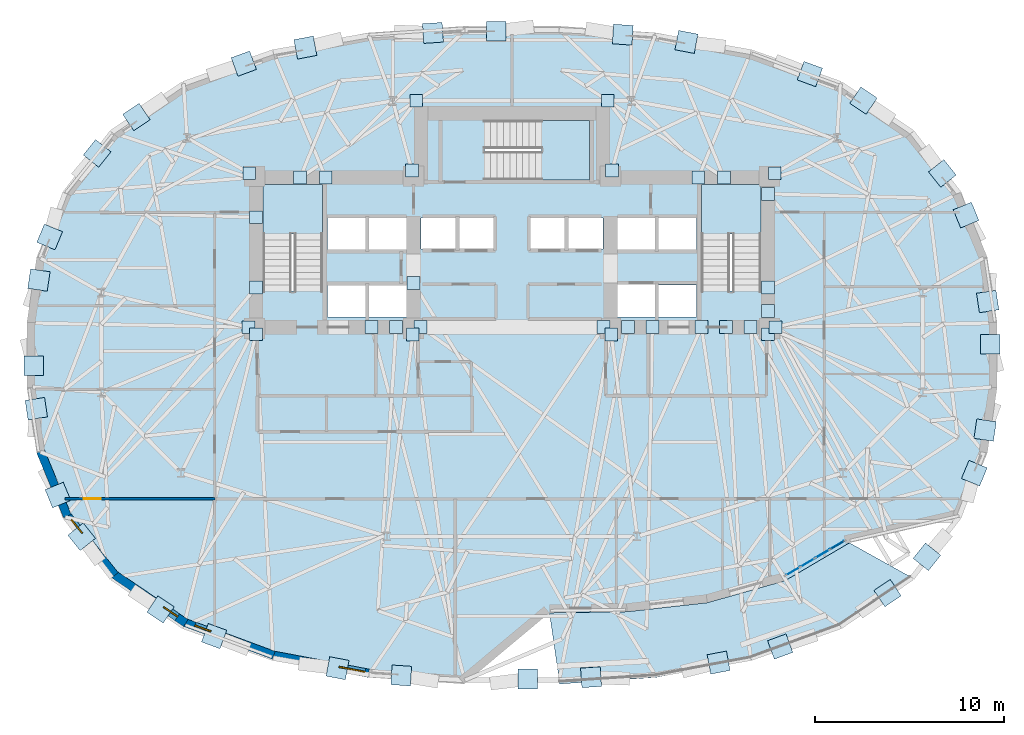
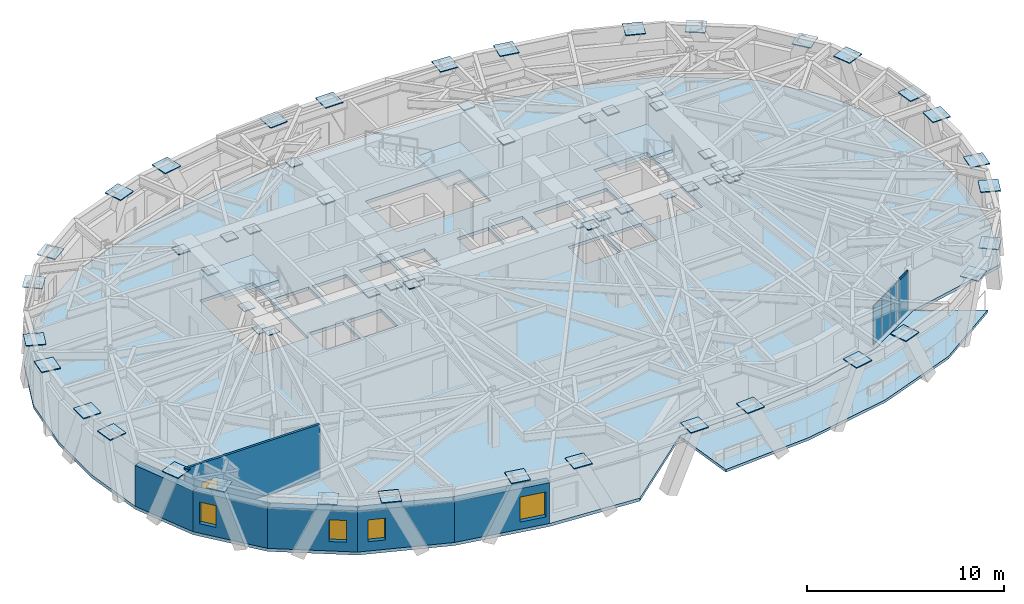
# One storey, part 6 of 14: 67 plates, 6 walls, 5 slabs, 4 windows, 1 door, 1 member, 5 openings, 4 elements without a shape of their own.
"""IFC4 building model written with IfcOpenShell, lengths in metres."""

import ifcopenshell
import ifcopenshell.guid

model = None  # the IFC model being written
_history = None  # IfcOwnerHistory: only IFC2X3 demands one
_inside = {}  # id of a spatial element -> (the spatial element, [elements in it])
_under = {}  # id of a project, library or spatial element -> (it, [spatial elements below it])
_declared = {}  # id of a project -> (the project, [libraries it declares])
_typed = {}  # id of a type object -> (the type object, [elements of that type])
_made_of = {}  # id of a material, layer set ... -> (it, [elements and type objects made of it])


def new_model(schema):
    """Start an empty IFC model of exactly this schema.

    Asked for "IFC4X3", IfcOpenShell would pick the latest addendum, in which some entities
    have other attributes; the version numbers below select the first issue.
    IFC2X3 requires an IfcOwnerHistory on every rooted entity: one is made here for all.
    """
    global model, _history
    if schema == "IFC4X3":
        model = ifcopenshell.file(schema_version=(4, 3, 0, 0))
    else:
        model = ifcopenshell.file(schema=schema)
    _inside.clear()
    _under.clear()
    _declared.clear()
    _typed.clear()
    _made_of.clear()
    _history = None
    if model.schema == "IFC2X3":
        org = make("IfcOrganization", Name="unknown")
        user = make(
            "IfcPersonAndOrganization",
            ThePerson=make("IfcPerson", FamilyName="unknown"),
            TheOrganization=org,
        )
        app = make(
            "IfcApplication",
            ApplicationDeveloper=org,
            Version="unknown",
            ApplicationFullName="unknown",
            ApplicationIdentifier="unknown",
        )
        _history = make(
            "IfcOwnerHistory",
            OwningUser=user,
            OwningApplication=app,
            ChangeAction="ADDED",
            CreationDate=0,
        )
    return model


def make(cls, **values):
    """One entity of the class cls with the attributes given. An attribute that is None is left unset."""
    return model.create_entity(
        cls, **{name: value for name, value in values.items() if value is not None}
    )


def rooted(cls, **values):
    """An entity with a GlobalId (a new one), such as an element, a storey or a relation."""
    return make(cls, GlobalId=ifcopenshell.guid.new(), OwnerHistory=_history, **values)


def si_unit(unit_type, name, prefix=None):
    """IfcSIUnit, for example si_unit("LENGTHUNIT", "METRE", prefix="MILLI")."""
    return make("IfcSIUnit", UnitType=unit_type, Prefix=prefix, Name=name)


def assignment(units):
    """IfcUnitAssignment: the units of a project."""
    return None if units is None else make("IfcUnitAssignment", Units=units)


def point(xyz):
    """IfcCartesianPoint."""
    return None if xyz is None else make("IfcCartesianPoint", Coordinates=xyz)


def direction(xyz):
    """IfcDirection."""
    return None if xyz is None else make("IfcDirection", DirectionRatios=xyz)


def frame(location, z_axis=None, x_axis=None):
    """IfcAxis2Placement3D, a coordinate frame: its origin and axes. An axis left out is left unset."""
    return make(
        "IfcAxis2Placement3D",
        Location=point(location),
        Axis=direction(z_axis),
        RefDirection=direction(x_axis),
    )


def frame_2d(location, x_axis=None):
    """IfcAxis2Placement2D, a coordinate frame in the plane: its origin and x axis."""
    return make(
        "IfcAxis2Placement2D", Location=point(location), RefDirection=direction(x_axis)
    )


def origin():
    """The frame at (0, 0, 0) with its axes left unset."""
    return frame((0.0, 0.0, 0.0))


def origin_2d():
    """The frame at (0, 0) in the plane with its x axis left unset."""
    return frame_2d((0.0, 0.0))


def place(relative_to, where):
    """IfcLocalPlacement: puts the frame where relative to a parent placement (None: the world)."""
    return make(
        "IfcLocalPlacement", PlacementRelTo=relative_to, RelativePlacement=where
    )


def context(
    kind, dimensions, precision=None, world=None, true_north=None, identifier=None
):
    """IfcGeometricRepresentationContext, for example the 3D "Model" context."""
    return make(
        "IfcGeometricRepresentationContext",
        ContextIdentifier=identifier,
        ContextType=kind,
        CoordinateSpaceDimension=dimensions,
        Precision=precision,
        WorldCoordinateSystem=world,
        TrueNorth=true_north,
    )


def subcontext(parent, identifier, kind, view, scale=None):
    """IfcGeometricRepresentationSubContext, for example "Body" below "Model"."""
    return make(
        "IfcGeometricRepresentationSubContext",
        ContextIdentifier=identifier,
        ContextType=kind,
        ParentContext=parent,
        TargetScale=scale,
        TargetView=view,
    )


def project(units=None, contexts=None):
    """IfcProject with its units and contexts."""
    return rooted(
        "IfcProject",
        Name="project",
        RepresentationContexts=contexts,
        UnitsInContext=assignment(units),
    )


def spatial(cls, under=None, at=None, **own):
    """A site, building, storey or space (cls), placed at a placement, below another one or the project."""
    s = rooted(cls, ObjectPlacement=at, **own)
    if under is not None:
        _under.setdefault(under.id(), (under, []))[1].append(s)
    return s


def polyline(points):
    """IfcPolyline through the points."""
    return make("IfcPolyline", Points=[point(p) for p in points])


def profile(cls, at=None, kind="AREA", **sizes):
    """A parametric profile (cls). Its sizes go by their IFC names, for example OverallWidth=200.0."""
    return make(cls, ProfileType=kind, Position=at, **sizes)


def rectangle(**sizes):
    """IfcRectangleProfileDef."""
    return profile("IfcRectangleProfileDef", **sizes)


def outline(outer, holes=None, kind="AREA"):
    """IfcArbitraryClosedProfileDef: a profile drawn as a closed curve; with holes, ...WithVoids."""
    if holes is None:
        return make("IfcArbitraryClosedProfileDef", ProfileType=kind, OuterCurve=outer)
    return make(
        "IfcArbitraryProfileDefWithVoids",
        ProfileType=kind,
        OuterCurve=outer,
        InnerCurves=holes,
    )


def extrude(swept, where, along, depth):
    """IfcExtrudedAreaSolid: the profile swept, set in the frame where, extruded along a direction by depth."""
    return make(
        "IfcExtrudedAreaSolid",
        SweptArea=swept,
        Position=where,
        ExtrudedDirection=direction(along),
        Depth=depth,
    )


def shape(context_of_items, identifier, shape_type, items):
    """IfcShapeRepresentation: the items that make up one representation, for example the "Body"."""
    return make(
        "IfcShapeRepresentation",
        ContextOfItems=context_of_items,
        RepresentationIdentifier=identifier,
        RepresentationType=shape_type,
        Items=items,
    )


def material(Name=None, Category=None):
    """IfcMaterial."""
    return make("IfcMaterial", Name=Name, Category=Category)


def layer(
    of_material, thickness, ventilated=None, Name=None, Category=None, Priority=None
):
    """IfcMaterialLayer: one layer of a wall or slab, of a material (None: an air gap)."""
    return make(
        "IfcMaterialLayer",
        Material=of_material,
        LayerThickness=thickness,
        IsVentilated=ventilated,
        Name=Name,
        Category=Category,
        Priority=Priority,
    )


def layer_set(layers, Name=None):
    """IfcMaterialLayerSet."""
    return make("IfcMaterialLayerSet", MaterialLayers=layers, LayerSetName=Name)


def material_profile(
    of_material, cross_section, Name=None, Category=None, Priority=None
):
    """IfcMaterialProfile: a cross section and its material."""
    return make(
        "IfcMaterialProfile",
        Name=Name,
        Material=of_material,
        Profile=cross_section,
        Priority=Priority,
        Category=Category,
    )


def profile_set(profiles, Name=None, composite=None):
    """IfcMaterialProfileSet."""
    return make(
        "IfcMaterialProfileSet",
        Name=Name,
        MaterialProfiles=profiles,
        CompositeProfile=composite,
    )


def made_of(thing, what):
    """Note that an element or type object is made of a material, layer set ...; save() writes the relation."""
    if what is not None:
        _made_of.setdefault(what.id(), (what, []))[1].append(thing)
    return thing


def type_object(cls, material=None, **own):
    """A type object (cls), such as IfcWallType, which elements share."""
    return made_of(rooted(cls, **own), material)


def element(
    cls,
    number,
    at=None,
    inside=None,
    cuts=None,
    type_object=None,
    material=None,
    context=None,
    identifier="Body",
    shape_type=None,
    held_by="IfcProductDefinitionShape",
    body=None,
    shapes=None,
    **own,
):
    """One element of the class cls, such as IfcWall. Its Tag is "e" and its number.

    at: its placement. inside: the storey or other place that contains it. cuts: it is an
    opening in that element (IfcRelVoidsElement). A single representation is given by context,
    identifier, shape_type and body (its items); several are given by shapes. held_by: the class
    of the entity that holds the representations. save() writes the other relations.
    """
    e = rooted(cls, Tag="e%d" % number, ObjectPlacement=at, **own)
    if body is not None:
        shapes = [shape(context, identifier, shape_type, body)]
    if shapes is not None:
        e.Representation = make(held_by, Representations=shapes)
    if inside is not None:
        _inside.setdefault(inside.id(), (inside, []))[1].append(e)
    if cuts is not None:
        rooted(
            "IfcRelVoidsElement", RelatingBuildingElement=cuts, RelatedOpeningElement=e
        )
    if type_object is not None:
        _typed.setdefault(type_object.id(), (type_object, []))[1].append(e)
    return made_of(e, material)


def fill(opening, filler):
    """IfcRelFillsElement: the door or window that sits in an opening."""
    return rooted(
        "IfcRelFillsElement",
        RelatingOpeningElement=opening,
        RelatedBuildingElement=filler,
    )


def aggregate(whole, parts):
    """IfcRelAggregates: a whole, such as a stair, and the parts it consists of."""
    return rooted("IfcRelAggregates", RelatingObject=whole, RelatedObjects=parts)


def save(model, path):
    """Write the relations noted so far, then the file.

    IfcRelAggregates (storeys below a building ...), IfcRelContainedInSpatialStructure (elements
    in a storey), IfcRelDefinesByType, IfcRelAssociatesMaterial and IfcRelDeclares: one each for
    every whole, place, type object, material and project.
    """
    for whole, parts in _under.values():
        aggregate(whole, parts)
    for where, things in _inside.values():
        rooted(
            "IfcRelContainedInSpatialStructure",
            RelatedElements=things,
            RelatingStructure=where,
        )
    for kind, things in _typed.values():
        rooted("IfcRelDefinesByType", RelatedObjects=things, RelatingType=kind)
    for what, things in _made_of.values():
        rooted("IfcRelAssociatesMaterial", RelatedObjects=things, RelatingMaterial=what)
    for by, libraries in _declared.values():
        rooted("IfcRelDeclares", RelatingContext=by, RelatedDefinitions=libraries)
    model.write(path)


model = new_model("IFC4")

# Units and contexts
model_context = context("Model", 3, precision=1e-05, world=origin(), true_north=direction((0.0, 1.0)))
body_context = subcontext(model_context, "Body", "Model", "MODEL_VIEW")
ifc_project = project(units=[si_unit("LENGTHUNIT", "METRE"), si_unit("AREAUNIT", "SQUARE_METRE"), si_unit("VOLUMEUNIT", "CUBIC_METRE"), si_unit("PLANEANGLEUNIT", "RADIAN"), si_unit("MASSUNIT", "GRAM", prefix="KILO")], contexts=[model_context])

# Site, building, storey
site_placement = place(None, origin())
site = spatial("IfcSite", under=ifc_project, at=site_placement, CompositionType="ELEMENT")
building_placement = place(site_placement, origin())
building = spatial("IfcBuilding", under=site, at=building_placement, Name="Keldmark Tower", CompositionType="ELEMENT")
storey_placement = place(building_placement, frame((0.0, 0.0, 128.10009765625)))
storey = spatial("IfcBuildingStorey", under=building, at=storey_placement, Name="L34", CompositionType="ELEMENT", Elevation=128.10009765625)

# Curtain wall, member
ifc_material_1 = material(Name="Unitized Thermally Broken Aluminum and Triple Low-E Glazing", Category="aluminium")
ifc_layer_1 = layer(ifc_material_1, 0.219970703125)
ifc_layer_set_1 = layer_set([ifc_layer_1], Name="Unitized Thermally Broken Aluminum and Triple Low-E Glazing")
curtain_wall_type = type_object("IfcCurtainWallType", Name="Spiralling Sky-Garden Feature Curtain Wall System", PredefinedType="NOTDEFINED", material=ifc_layer_set_1)
curtain_wall_placement = place(storey_placement, origin())
curtain_wall = element("IfcCurtainWall", 1, at=curtain_wall_placement, inside=storey, type_object=curtain_wall_type, Name="L34 Spiralling Sky-Garden Feature Curtain Wall System CW-L34-28", PredefinedType="NOTDEFINED")
ifc_material_2 = material(Name="Extruded Aluminum Alloy 6063-T6", Category="aluminium")
ifc_material_profile = material_profile(ifc_material_2, rectangle(XDim=0.06005859375, YDim=0.139892578125, at=origin_2d()), Name="CWT60X140")
ifc_profile_set = profile_set([ifc_material_profile], Name="Extruded Aluminum Alloy 6063-T6")
member_type = type_object("IfcMemberType", Name="Curtain Wall Horizontal Transom 60x140", PredefinedType="USERDEFINED", material=ifc_profile_set)
member_placement = place(storey_placement, frame((17.542724609375, -9.830810546875, 2.497802734375), z_axis=(-0.862124032813, -0.506697298243, 0.0), x_axis=(0.506697298243, -0.862124032813, 0.0)))
member = element("IfcMember", 2, at=member_placement, type_object=member_type, Name="CW transom 1.2", ObjectType="TRANSOM", PredefinedType="USERDEFINED", context=body_context, shape_type="SweptSolid", body=[
    extrude(rectangle(XDim=0.06005859375, YDim=0.139892578125, at=origin_2d()), origin(), (0.0, 0.0, 1.0), 0.826416015625),
])

# Plates
ifc_material_3 = material(Name="Steel ASTM A572 Grade 50", Category="steel")
ifc_layer_2 = layer(ifc_material_3, 0.06005859375)
ifc_layer_set_2 = layer_set([ifc_layer_2], Name="Steel ASTM A572 Grade 50")
plate_type_1 = type_object("IfcPlateType", Name="Belt Truss Kink Node Assembly KN01 60 mm", PredefinedType="USERDEFINED", material=ifc_layer_set_2)
for number, where, z_axis, x_axis, name in (
    (3, (13.91162109375, 1.473388671875, 3.01416015625), (0.0, 0.0, 1.0), (1.0, 0.0, 0.0), "L34 Core Wall Cast-In Embed Plate 996"),
    (4, (13.878173828125, 9.608154296875, 3.01416015625), (0.0, 0.0, 1.0), (1.0, 0.0, 0.0), "L34 Core Wall Cast-In Embed Plate 997"),
    (5, (5.28515625, 9.758544921875, 3.01416015625), (0.0, 0.0, 1.0), (1.0, 0.0, 0.0), "L34 Core Wall Cast-In Embed Plate 998"),
    (6, (-5.28515625, 9.758544921875, 3.01416015625), (0.0, 0.0, 1.0), (1.0, 0.0, 0.0), "L34 Core Wall Cast-In Embed Plate 999"),
    (7, (-13.878173828125, 9.608154296875, 3.01416015625), (0.0, 0.0, 1.0), (1.0, 0.0, 0.0), "L34 Core Wall Cast-In Embed Plate 1000"),
    (8, (-13.91162109375, 1.473388671875, 3.01416015625), (0.0, 0.0, 1.0), (1.0, 0.0, 0.0), "L34 Core Wall Cast-In Embed Plate 1001"),
    (9, (-5.24072265625, 1.08251953125, 3.01416015625), (0.0, 0.0, 1.0), (1.0, 0.0, 0.0), "L34 Core Wall Cast-In Embed Plate 1002"),
    (10, (5.24072265625, 1.08251953125, 3.01416015625), (0.0, 0.0, 1.0), (1.0, 0.0, 0.0), "L34 Core Wall Cast-In Embed Plate 1003"),
    (11, (11.19287109375, 9.375, 3.01416015625), (0.0, 0.0, 1.0), (1.0, 0.0, 0.0), "L34 Core Wall Cast-In Embed Plate 1004"),
    (12, (5.0576171875, 13.4326171875, 3.01416015625), (0.0, 0.0, 1.0), (1.0, 0.0, 0.0), "L34 Core Wall Cast-In Embed Plate 1005"),
    (13, (-5.0576171875, 13.4326171875, 3.01416015625), (0.0, 0.0, 1.0), (1.0, 0.0, 0.0), "L34 Core Wall Cast-In Embed Plate 1006"),
    (14, (-11.19287109375, 9.375, 3.01416015625), (0.0, 0.0, 1.0), (1.0, 0.0, 0.0), "L34 Core Wall Cast-In Embed Plate 1007"),
    (15, (13.52490234375, 8.514404296875, 3.01416015625), (0.0, 0.0, 1.0), (1.0, 0.0, 0.0), "L34 Core Wall Cast-In Embed Plate 1008"),
    (16, (12.603515625, 1.47509765625, 3.01416015625), (0.0, 0.0, 1.0), (1.0, 0.0, 0.0), "L34 Core Wall Cast-In Embed Plate 1009"),
    (17, (13.52490234375, 3.5712890625, 3.01416015625), (0.0, 0.0, 1.0), (1.0, 0.0, 0.0), "L34 Core Wall Cast-In Embed Plate 1010"),
    (18, (9.83935546875, 9.375, 3.01416015625), (0.0, 0.0, 1.0), (1.0, 0.0, 0.0), "L34 Core Wall Cast-In Embed Plate 1011"),
    (19, (-9.83935546875, 9.375, 3.01416015625), (0.0, 0.0, 1.0), (1.0, 0.0, 0.0), "L34 Core Wall Cast-In Embed Plate 1012"),
    (20, (-13.52490234375, 7.278564453125, 3.01416015625), (0.0, 0.0, 1.0), (1.0, 0.0, 0.0), "L34 Core Wall Cast-In Embed Plate 1013"),
    (21, (-13.52490234375, 3.5712890625, 3.01416015625), (0.0, 0.0, 1.0), (1.0, 0.0, 0.0), "L34 Core Wall Cast-In Embed Plate 1014"),
    (22, (-6.121337890625, 1.47509765625, 3.01416015625), (0.0, 0.0, 1.0), (1.0, 0.0, 0.0), "L34 Core Wall Cast-In Embed Plate 1015"),
    (23, (-7.41796875, 1.47509765625, 3.01416015625), (0.0, 0.0, 1.0), (1.0, 0.0, 0.0), "L34 Core Wall Cast-In Embed Plate 1016"),
    (24, (10.0107421875, 1.47509765625, 3.01416015625), (0.0, 0.0, 1.0), (1.0, 0.0, 0.0), "L34 Core Wall Cast-In Embed Plate 1017"),
    (25, (6.121337890625, 1.47509765625, 3.01416015625), (0.0, 0.0, 1.0), (1.0, 0.0, 0.0), "L34 Core Wall Cast-In Embed Plate 1018"),
    (26, (7.41796875, 1.47509765625, 3.01416015625), (0.0, 0.0, 1.0), (1.0, 0.0, 0.0), "L34 Core Wall Cast-In Embed Plate 1019"),
    (27, (-5.199951171875, 3.800048828125, 3.01416015625), (0.0, 0.0, 1.0), (1.0, 0.0, 0.0), "L34 Core Wall Cast-In Embed Plate 1020"),
    (28, (11.30712890625, 1.47509765625, 3.01416015625), (0.0, 0.0, 1.0), (1.0, 0.0, 0.0), "L34 Core Wall Cast-In Embed Plate 1021"),
    (29, (13.52490234375, 1.10009765625, 3.01416015625), (0.0, 0.0, 1.0), (1.0, 0.0, 0.0), "L34 Core Wall Cast-In Embed Plate 1022"),
    (30, (-4.824951171875, 1.47509765625, 3.01416015625), (0.0, 0.0, 1.0), (1.0, 0.0, 0.0), "L34 Core Wall Cast-In Embed Plate 1023"),
    (31, (-13.52490234375, 1.10009765625, 3.01416015625), (0.0, 0.0, 1.0), (1.0, 0.0, 0.0), "L34 Core Wall Cast-In Embed Plate 1024"),
    (32, (4.824951171875, 1.47509765625, 3.01416015625), (0.0, 0.0, 1.0), (1.0, 0.0, 0.0), "L34 Core Wall Cast-In Embed Plate 1025"),
    (33, (13.52490234375, 2.335693359375, 3.01416015625), (0.0, 0.0, 1.0), (1.0, 0.0, 0.0), "L34 Core Wall Cast-In Embed Plate 1026"),
):
    element("IfcPlate", number, at=place(storey_placement, frame(where, z_axis=z_axis, x_axis=x_axis)), inside=storey, type_object=plate_type_1, Name=name, ObjectType="CAP PLATE", PredefinedType="USERDEFINED", context=body_context, shape_type="SweptSolid", body=[
        extrude(rectangle(XDim=0.679931640625, YDim=0.679931640625, at=origin_2d()), origin(), (0.0, 0.0, 1.0), 0.054931640625),
    ])
ifc_material_4 = material(Name="Steel ASTM A572 Grade 50", Category="steel")
ifc_layer_3 = layer(ifc_material_4, 0.054931640625)
ifc_layer_set_3 = layer_set([ifc_layer_3], Name="Steel ASTM A572 Grade 50")
plate_type_2 = type_object("IfcPlateType", Name="Diagrid Node Assembly DN03 55 mm", PredefinedType="USERDEFINED", material=ifc_layer_set_3)
for number, where, z_axis, x_axis, name in (
    (34, (25.12890625, 2.82958984375, 3.16259765625), (0.0, 0.0, 1.0), (-0.147636793048, 0.989041645907, 0.0), "L34 Diagrid Node Assembly 01"),
    (35, (23.985107421875, 7.39453125, 3.16259765625), (0.0, 0.0, 1.0), (-0.382360914263, 0.92401305794, 0.0), "L34 Diagrid Node Assembly 02"),
    (36, (22.7333984375, 9.59716796875, 3.16259765625), (0.0, 0.0, 1.0), (-0.625106436011, 0.780539520881, 0.0), "L34 Diagrid Node Assembly 03"),
    (37, (18.5673828125, 13.439697265625, 3.16259765625), (0.0, 0.0, 1.0), (-0.827668733006, 0.561216953062, 0.0), "L34 Diagrid Node Assembly 04"),
    (38, (15.735107421875, 14.845703125, 3.16259765625), (0.0, 0.0, 1.0), (-0.938432742561, 0.345461991671, 0.0), "L34 Diagrid Node Assembly 05"),
    (39, (9.215576171875, 16.54248046875, 3.16259765625), (0.0, 0.0, 1.0), (-0.982385228701, 0.186866964522, 0.0), "L34 Diagrid Node Assembly 06"),
    (40, (5.8515625, 16.926513671875, 3.16259765625), (0.0, 0.0, 1.0), (-0.997648529354, 0.068537667585, 0.0), "L34 Diagrid Node Assembly 07"),
    (41, (-0.83740234375, 17.113525390625, 3.16259765625), (0.0, 0.0, 1.0), (-1.0, 0.0, 0.0), "L34 Diagrid Node Assembly 08"),
    (42, (-4.17578125, 17.018798828125, 3.16259765625), (0.0, 0.0, 1.0), (-0.997648529354, -0.068537667585, 0.0), "L34 Diagrid Node Assembly 09"),
    (43, (-10.9140625, 16.244140625, 3.16259765625), (0.0, 0.0, 1.0), (-0.982385228701, -0.186866964522, 0.0), "L34 Diagrid Node Assembly 10"),
    (44, (-14.16796875, 15.39697265625, 3.16259765625), (0.0, 0.0, 1.0), (-0.938432742561, -0.345461991671, 0.0), "L34 Diagrid Node Assembly 11"),
    (45, (-19.839599609375, 12.574462890625, 3.16259765625), (0.0, 0.0, 1.0), (-0.827668733006, -0.561216953062, 0.0), "L34 Diagrid Node Assembly 12"),
    (46, (-21.91748046875, 10.656494140625, 3.16259765625), (0.0, 0.0, 1.0), (-0.625106436011, -0.780539520881, 0.0), "L34 Diagrid Node Assembly 13"),
    (47, (-24.4228515625, 6.2392578125, 3.16259765625), (0.0, 0.0, 1.0), (-0.382360914263, -0.92401305794, 0.0), "L34 Diagrid Node Assembly 14"),
    (48, (-24.991455078125, 3.9619140625, 3.16259765625), (0.0, 0.0, 1.0), (-0.147636793048, -0.989041645907, 0.0), "L34 Diagrid Node Assembly 15"),
    (49, (-25.268310546875, -0.569580078125, 3.16259765625), (0.0, 0.0, 1.0), (0.0, -1.0, 0.0), "L34 Diagrid Node Assembly 16"),
    (50, (-25.12890625, -2.82958984375, 3.16259765625), (0.0, 0.0, 1.0), (0.147636793048, -0.989041645907, 0.0), "L34 Diagrid Node Assembly 17"),
    (51, (-23.985107421875, -7.39453125, 3.16259765625), (0.0, 0.0, 1.0), (0.382360914263, -0.92401305794, 0.0), "L34 Diagrid Node Assembly 18"),
    (52, (-22.7333984375, -9.59716796875, 3.16259765625), (0.0, 0.0, 1.0), (0.625106436011, -0.780539520881, 0.0), "L34 Diagrid Node Assembly 19"),
    (53, (-18.5673828125, -13.439697265625, 3.16259765625), (0.0, 0.0, 1.0), (0.827668733006, -0.561216953062, 0.0), "L34 Diagrid Node Assembly 20"),
    (54, (-15.735107421875, -14.845703125, 3.16259765625), (0.0, 0.0, 1.0), (0.938432742561, -0.345461991671, 0.0), "L34 Diagrid Node Assembly 21"),
    (55, (-9.215576171875, -16.54248046875, 3.16259765625), (0.0, 0.0, 1.0), (0.982385228701, -0.186866964522, 0.0), "L34 Diagrid Node Assembly 22"),
    (56, (-5.8515625, -16.926513671875, 3.16259765625), (0.0, 0.0, 1.0), (0.997648529354, -0.068537667585, 0.0), "L34 Diagrid Node Assembly 23"),
    (57, (0.83740234375, -17.113525390625, 3.16259765625), (0.0, 0.0, 1.0), (1.0, 0.0, 0.0), "L34 Diagrid Node Assembly 24"),
    (58, (4.17578125, -17.018798828125, 3.16259765625), (0.0, 0.0, 1.0), (0.997648529354, 0.068537667585, 0.0), "L34 Diagrid Node Assembly 25"),
    (59, (10.9140625, -16.244140625, 3.16259765625), (0.0, 0.0, 1.0), (0.982385228701, 0.186866964522, 0.0), "L34 Diagrid Node Assembly 26"),
    (60, (14.16796875, -15.39697265625, 3.16259765625), (0.0, 0.0, 1.0), (0.938432742561, 0.345461991671, 0.0), "L34 Diagrid Node Assembly 27"),
    (61, (19.839599609375, -12.574462890625, 3.16259765625), (0.0, 0.0, 1.0), (0.827668733006, 0.561216953062, 0.0), "L34 Diagrid Node Assembly 28"),
    (62, (21.91748046875, -10.656494140625, 3.16259765625), (0.0, 0.0, 1.0), (0.625106436011, 0.780539520881, 0.0), "L34 Diagrid Node Assembly 29"),
    (63, (24.4228515625, -6.2392578125, 3.16259765625), (0.0, 0.0, 1.0), (0.382360914263, 0.92401305794, 0.0), "L34 Diagrid Node Assembly 30"),
    (64, (24.991455078125, -3.9619140625, 3.16259765625), (0.0, 0.0, 1.0), (0.147636793048, 0.989041645907, 0.0), "L34 Diagrid Node Assembly 31"),
    (65, (25.268310546875, 0.569580078125, 3.16259765625), (0.0, 0.0, 1.0), (0.0, 1.0, 0.0), "L34 Diagrid Node Assembly 32"),
):
    element("IfcPlate", number, at=place(storey_placement, frame(where, z_axis=z_axis, x_axis=x_axis)), inside=storey, type_object=plate_type_2, Name=name, ObjectType="GUSSET", PredefinedType="USERDEFINED", context=body_context, shape_type="SweptSolid", body=[
        extrude(rectangle(XDim=1.0400390625, YDim=1.0400390625, at=origin_2d()), origin(), (0.0, 0.0, 1.0), 0.054931640625),
    ])

# Slabs
ifc_material_5 = material(Name="Concrete C35/45", Category="concrete")
ifc_layer_4 = layer(ifc_material_5, 0.18994140625)
ifc_layer_set_4 = layer_set([ifc_layer_4], Name="Concrete C35/45")
slab_type_1 = type_object("IfcSlabType", Name="Mid-Rise Office Composite Slab 190 mm", PredefinedType="FLOOR", material=ifc_layer_set_4)
slab_1_placement = place(storey_placement, frame((0.0, 0.0, -0.190185546875)))
element("IfcSlab", 66, at=slab_1_placement, inside=storey, type_object=slab_type_1, Name="L34 Composite Structural Floor Slab", PredefinedType="FLOOR", context=body_context, shape_type="SweptSolid", body=[
    extrude(outline(polyline([(25.62646484375, 1.711181640625), (25.11083984375, 5.16455078125), (23.6943359375, 8.5869140625), (21.147216796875, 11.76708984375), (17.355224609375, 14.338134765625), (12.664794921875, 16.065185546875), (7.6171875, 17.025390625), (2.52392578125, 17.375), (-2.52392578125, 17.375), (-7.6171875, 17.025390625), (-12.664794921875, 16.065185546875), (-17.355224609375, 14.338134765625), (-21.147216796875, 11.76708984375), (-23.6943359375, 8.5869140625), (-25.11083984375, 5.16455078125), (-25.62646484375, 1.711181640625), (-25.62646484375, -1.711181640625), (-25.11083984375, -5.16455078125), (-23.6943359375, -8.5869140625), (-21.147216796875, -11.76708984375), (-17.355224609375, -14.338134765625), (-12.664794921875, -16.065185546875), (-7.6171875, -17.025390625), (-2.52392578125, -17.375), (1.977783203125, -13.614501953125), (6.0654296875, -13.556884765625), (10.312255859375, -13.080810546875), (14.425537109375, -11.917724609375), (17.82666015625, -9.919189453125), (23.6943359375, -8.5869140625), (25.11083984375, -5.16455078125), (25.62646484375, -1.711181640625), (25.62646484375, 1.711181640625)]), holes=[polyline([(-10.0, 3.385009765625), (-10.0, 9.0), (-13.14990234375, 9.0), (-13.14990234375, 3.385009765625), (-10.0, 3.385009765625)]), polyline([(13.14990234375, 3.385009765625), (13.14990234375, 9.0), (10.0, 9.0), (10.0, 3.385009765625), (13.14990234375, 3.385009765625)]), polyline([(-1.43994140625, 9.25), (4.10498046875, 9.25), (4.10498046875, 12.39990234375), (-1.43994140625, 12.39990234375), (-1.43994140625, 9.25)]), polyline([(-9.75, 2.0), (-7.75, 2.0), (-7.75, 3.699951171875), (-9.75, 3.699951171875), (-9.75, 2.0)]), polyline([(7.75, 2.0), (9.75, 2.0), (9.75, 3.699951171875), (7.75, 3.699951171875), (7.75, 2.0)]), polyline([(5.449951171875, 2.0), (7.550048828125, 2.0), (7.550048828125, 3.75), (5.449951171875, 3.75), (5.449951171875, 2.0)]), polyline([(-4.800048828125, 5.60009765625), (-2.949951171875, 5.60009765625), (-2.949951171875, 7.25), (-4.800048828125, 7.25), (-4.800048828125, 5.60009765625)]), polyline([(-2.800048828125, 5.60009765625), (-0.949951171875, 5.60009765625), (-0.949951171875, 7.25), (-2.800048828125, 7.25), (-2.800048828125, 5.60009765625)]), polyline([(0.949951171875, 5.60009765625), (2.800048828125, 5.60009765625), (2.800048828125, 7.25), (0.949951171875, 7.25), (0.949951171875, 5.60009765625)]), polyline([(2.949951171875, 5.60009765625), (4.800048828125, 5.60009765625), (4.800048828125, 7.25), (2.949951171875, 7.25), (2.949951171875, 5.60009765625)]), polyline([(-9.75, 5.550048828125), (-7.75, 5.550048828125), (-7.75, 7.25), (-9.75, 7.25), (-9.75, 5.550048828125)]), polyline([(-7.550048828125, 5.550048828125), (-5.550048828125, 5.550048828125), (-5.550048828125, 7.25), (-7.550048828125, 7.25), (-7.550048828125, 5.550048828125)]), polyline([(-7.550048828125, 2.0), (-5.550048828125, 2.0), (-5.550048828125, 3.699951171875), (-7.550048828125, 3.699951171875), (-7.550048828125, 2.0)]), polyline([(5.449951171875, 5.550048828125), (7.550048828125, 5.550048828125), (7.550048828125, 7.25), (5.449951171875, 7.25), (5.449951171875, 5.550048828125)]), polyline([(7.75, 5.550048828125), (9.75, 5.550048828125), (9.75, 7.25), (7.75, 7.25), (7.75, 5.550048828125)])]), origin(), (0.0, 0.0, 1.0), 0.190185546875),
])
ifc_material_6 = material(Name="Concrete C35/45", Category="concrete")
ifc_layer_5 = layer(ifc_material_6, 0.1650390625)
ifc_layer_set_5 = layer_set([ifc_layer_5], Name="Concrete C35/45")
slab_type_2 = type_object("IfcSlabType", Name="Planted Sky-Garden Terrace Slab 165 mm", PredefinedType="ROOF", material=ifc_layer_set_5)
slab_2_placement = place(storey_placement, frame((0.0, 0.0, -0.1650390625)))
element("IfcSlab", 67, at=slab_2_placement, inside=storey, type_object=slab_type_2, Name="Planted Sky-Garden Terrace Slab", PredefinedType="ROOF", context=body_context, shape_type="SweptSolid", body=[
    extrude(outline(polyline([(2.52392578125, -17.375), (7.6171875, -17.025390625), (12.664794921875, -16.065185546875), (17.355224609375, -14.338134765625), (21.147216796875, -11.76708984375), (17.82666015625, -9.919189453125), (14.425537109375, -11.917724609375), (10.312255859375, -13.080810546875), (6.0654296875, -13.556884765625), (1.977783203125, -13.614501953125), (2.52392578125, -17.375)])), origin(), (0.0, 0.0, 1.0), 0.1650390625),
])

# Stair, slab
ifc_material_7 = material(Name="Concrete C40/50", Category="concrete")
stair_type = type_object("IfcStairType", Name="Precast Concrete Core Exit Stair", PredefinedType="HALF_TURN_STAIR", material=ifc_material_7)
stair_1_placement = place(storey_placement, origin())
stair_1 = element("IfcStair", 68, at=stair_1_placement, inside=storey, type_object=stair_type, Name="L34 Exit Stair ST1", PredefinedType="HALF_TURN_STAIR")
ifc_material_8 = material(Name="Concrete C40/50", Category="concrete")
ifc_layer_6 = layer(ifc_material_8, 0.199951171875)
ifc_layer_set_6 = layer_set([ifc_layer_6], Name="Concrete C40/50")
slab_type_3 = type_object("IfcSlabType", Name="Reinforced Concrete Stair Landing 200 mm", PredefinedType="LANDING", material=ifc_layer_set_6)
slab_3_placement = place(storey_placement, frame((0.0, 0.0, 1.5498046875)))
slab_3 = element("IfcSlab", 69, at=slab_3_placement, type_object=slab_type_3, Name="ST1 landing 1", PredefinedType="LANDING", context=body_context, shape_type="SweptSolid", body=[
    extrude(outline(polyline([(-10.0, 6.389892578125), (-10.0, 9.0), (-13.14990234375, 9.0), (-13.14990234375, 6.389892578125), (-10.0, 6.389892578125)])), origin(), (0.0, 0.0, 1.0), 0.2001953125),
])
aggregate(stair_1, [slab_3])

stair_2_placement = place(storey_placement, origin())
stair_2 = element("IfcStair", 70, at=stair_2_placement, inside=storey, type_object=stair_type, Name="L34 Exit Stair ST2", PredefinedType="HALF_TURN_STAIR")
slab_4_placement = place(storey_placement, frame((0.0, 0.0, 1.5498046875)))
slab_4 = element("IfcSlab", 71, at=slab_4_placement, type_object=slab_type_3, Name="ST2 landing 1", PredefinedType="LANDING", context=body_context, shape_type="SweptSolid", body=[
    extrude(outline(polyline([(13.14990234375, 6.389892578125), (13.14990234375, 9.0), (10.0, 9.0), (10.0, 6.389892578125), (13.14990234375, 6.389892578125)])), origin(), (0.0, 0.0, 1.0), 0.2001953125),
])
aggregate(stair_2, [slab_4])

stair_3_placement = place(storey_placement, origin())
stair_3 = element("IfcStair", 72, at=stair_3_placement, inside=storey, type_object=stair_type, Name="L34 Exit Stair ST3", PredefinedType="HALF_TURN_STAIR")
slab_5_placement = place(storey_placement, frame((0.0, 0.0, 1.5498046875)))
slab_5 = element("IfcSlab", 73, at=slab_5_placement, type_object=slab_type_3, Name="ST3 landing 1", PredefinedType="LANDING", context=body_context, shape_type="SweptSolid", body=[
    extrude(outline(polyline([(1.56494140625, 9.25), (4.10498046875, 9.25), (4.10498046875, 12.39990234375), (1.56494140625, 12.39990234375), (1.56494140625, 9.25)])), origin(), (0.0, 0.0, 1.0), 0.2001953125),
])
aggregate(stair_3, [slab_5])

# Plate
ifc_material_9 = material(Name="Triple Silver Low-E Insulated Glass Unit", Category="glass")
ifc_layer_7 = layer(ifc_material_9, 0.035888671875)
ifc_layer_set_7 = layer_set([ifc_layer_7], Name="Triple Silver Low-E Insulated Glass Unit")
plate_type_3 = type_object("IfcPlateType", Name="Triple Low-E Vision Glazing Panel 36 mm", PredefinedType="CURTAIN_PANEL", material=ifc_layer_set_7)
plate_1_placement = place(storey_placement, frame((17.1865234375, -10.040283203125, 0.06005859375), z_axis=(0.0, 0.0, 1.0), x_axis=(-0.862166304132, -0.506625368511, 0.0)))
plate_1 = element("IfcPlate", 74, at=plate_1_placement, type_object=plate_type_3, Name="CW panel 1.1", PredefinedType="CURTAIN_PANEL", context=body_context, shape_type="SweptSolid", body=[
    extrude(rectangle(XDim=0.826171875, YDim=0.035888671875, at=origin_2d()), origin(), (0.0, 0.0, 1.0), 2.407958984375),
])

plate_2_placement = place(storey_placement, frame((16.40966796875, -10.496826171875, 0.06005859375), z_axis=(0.0, 0.0, 1.0), x_axis=(-0.862166304132, -0.506625368511, 0.0)))
plate_2 = element("IfcPlate", 75, at=plate_2_placement, type_object=plate_type_3, Name="CW panel 2.1", PredefinedType="CURTAIN_PANEL", context=body_context, shape_type="SweptSolid", body=[
    extrude(rectangle(XDim=0.856201171875, YDim=0.035888671875, at=origin_2d()), origin(), (0.0, 0.0, 1.0), 2.407958984375),
])

plate_3_placement = place(storey_placement, frame((15.61962890625, -10.9609375, 0.06005859375), z_axis=(0.0, 0.0, 1.0), x_axis=(-0.862166304132, -0.506625368511, 0.0)))
plate_3 = element("IfcPlate", 76, at=plate_3_placement, type_object=plate_type_3, Name="CW panel 3.1", PredefinedType="CURTAIN_PANEL", context=body_context, shape_type="SweptSolid", body=[
    extrude(rectangle(XDim=0.856201171875, YDim=0.035888671875, at=origin_2d()), origin(), (0.0, 0.0, 1.0), 2.407958984375),
])

plate_4_placement = place(storey_placement, frame((14.8427734375, -11.41748046875, 0.06005859375), z_axis=(0.0, 0.0, 1.0), x_axis=(-0.862166304132, -0.506625368511, 0.0)))
plate_4 = element("IfcPlate", 77, at=plate_4_placement, type_object=plate_type_3, Name="CW panel 4.1", PredefinedType="CURTAIN_PANEL", context=body_context, shape_type="SweptSolid", body=[
    extrude(rectangle(XDim=0.826171875, YDim=0.035888671875, at=origin_2d()), origin(), (0.0, 0.0, 1.0), 2.407958984375),
])

aggregate(curtain_wall, [member, plate_1, plate_2, plate_3, plate_4])

# Wall, opening, door
ifc_material_10 = material(Name="Acoustic Gypsum Board Interior Partition", Category="gypsum")
ifc_layer_8 = layer(ifc_material_10, 0.1298828125)
ifc_layer_set_8 = layer_set([ifc_layer_8], Name="Acoustic Gypsum Board Interior Partition")
wall_type_1 = type_object("IfcWallType", Name="Interior Partition 130 mm", PredefinedType="PARTITIONING", material=ifc_layer_set_8)
wall_1_placement = place(storey_placement, frame((-23.617919921875, -7.60009765625, 0.0), z_axis=(0.0, 0.0, 1.0), x_axis=(1.0, 0.0, 0.0)))
wall_1 = element("IfcWall", 78, at=wall_1_placement, inside=storey, type_object=wall_type_1, Name="L34 Interior Partition 130 mm W-CAP-S", PredefinedType="PARTITIONING", context=body_context, shape_type="SweptSolid", body=[
    extrude(rectangle(XDim=7.91796875, YDim=0.1298828125, at=frame_2d((3.958984375, 0.0))), origin(), (0.0, 0.0, 1.0), 3.309814453125),
])
opening_1_placement = place(wall_1_placement, frame((0.989990234375, 0.0, 0.0)))
opening_1 = element("IfcOpeningElement", 79, at=opening_1_placement, cuts=wall_1, Name="Opening D-IN090", PredefinedType="OPENING", context=body_context, shape_type="SweptSolid", body=[
    extrude(rectangle(XDim=0.89990234375, YDim=2.10009765625, at=frame_2d((0.449951171875, 1.050048828125))), frame((0.0, 0.074951171875, 0.0), z_axis=(0.0, -1.0, 0.0), x_axis=(1.0, 0.0, 0.0)), (0.0, 0.0, 1.0), 0.14990234375),
])
ifc_material_11 = material(Name="Stained American White Oak Veneer", Category="wood")
door_type = type_object("IfcDoorType", Name="Interior Door 900x2100", OperationType="NOTDEFINED", PredefinedType="DOOR", material=ifc_material_11)
door_placement = place(opening_1_placement, origin())
door = element("IfcDoor", 80, at=door_placement, inside=storey, type_object=door_type, Name="L34 Interior Door 900x2100 D-WRSW-L34", OperationType="SINGLE_SWING_LEFT", OverallHeight=2.10009765625, OverallWidth=0.89990234375, PredefinedType="DOOR", context=body_context, shape_type="SweptSolid", body=[
    extrude(rectangle(XDim=0.89990234375, YDim=2.10009765625, at=frame_2d((0.449951171875, 1.050048828125))), frame((0.0, 0.02490234375, 0.0), z_axis=(0.0, -1.0, 0.0), x_axis=(1.0, 0.0, 0.0)), (0.0, 0.0, 1.0), 0.050048828125),
])
fill(opening_1, door)

# Wall
ifc_material_12 = material(Name="Ironspot Manganese Brick and Kasota Buff Limestone Spandrel Assembly", Category="masonry")
ifc_layer_9 = layer(ifc_material_12, 0.43994140625)
ifc_layer_set_9 = layer_set([ifc_layer_9], Name="Ironspot Manganese Brick and Kasota Buff Limestone Spandrel Assembly")
wall_type_2 = type_object("IfcWallType", Name="Tower Brick Pier and Spandrel Wall 440 mm", PredefinedType="STANDARD", material=ifc_layer_set_9)
wall_2_placement = place(storey_placement, frame((-23.4912109375, -8.5029296875, 0.0), z_axis=(0.0, 0.0, 1.0), x_axis=(-0.382433297136, 0.923983102249, 0.0)))
element("IfcWall", 81, at=wall_2_placement, inside=storey, type_object=wall_type_2, Name="L34 Exterior Brick and Spandrel Wall 18", PredefinedType="STANDARD", context=body_context, shape_type="SweptSolid", body=[
    extrude(rectangle(XDim=3.703857421875, YDim=0.43994140625, at=frame_2d((1.85205078125, 0.0))), origin(), (0.0, 0.0, 1.0), 2.52783203125),
])

# Wall, opening, window
wall_3_placement = place(storey_placement, frame((-20.9755859375, -11.62939453125, 0.0), z_axis=(0.0, 0.0, 1.0), x_axis=(-0.625169926256, 0.780488669556, 0.0)))
wall_3 = element("IfcWall", 82, at=wall_3_placement, inside=storey, type_object=wall_type_2, Name="L34 Exterior Brick and Spandrel Wall 19", PredefinedType="STANDARD", context=body_context, shape_type="SweptSolid", body=[
    extrude(rectangle(XDim=4.07421875, YDim=0.43994140625, at=frame_2d((2.037109375, 0.0))), origin(), (0.0, 0.0, 1.0), 2.52783203125),
])
opening_2_placement = place(wall_3_placement, frame((2.82568359375, 0.0, 0.580078125)))
opening_2 = element("IfcOpeningElement", 83, at=opening_2_placement, cuts=wall_3, Name="Opening W-09", PredefinedType="OPENING", context=body_context, shape_type="SweptSolid", body=[
    extrude(rectangle(XDim=0.89990234375, YDim=1.35009765625, at=frame_2d((0.449951171875, 0.675048828125))), frame((0.0, 0.22998046875, 0.0), z_axis=(0.0, -1.0, 0.0), x_axis=(1.0, 0.0, 0.0)), (0.0, 0.0, 1.0), 0.4599609375),
])
ifc_material_13 = material(Name="Thermally Broken Anodized Aluminum and Triple Low-E Argon Glazing", Category="aluminium")
window_type_1 = type_object("IfcWindowType", Name="Corner Pier Deep-Set Window 900x1350", PartitioningType="SINGLE_PANEL", PredefinedType="WINDOW", material=ifc_material_13)
window_1_placement = place(opening_2_placement, origin())
window_1 = element("IfcWindow", 84, at=window_1_placement, inside=storey, type_object=window_type_1, Name="L34 Deep-Set Window 19", OverallHeight=1.35009765625, OverallWidth=0.89990234375, PartitioningType="SINGLE_PANEL", PredefinedType="WINDOW", context=body_context, shape_type="SweptSolid", body=[
    extrude(rectangle(XDim=0.89990234375, YDim=1.35009765625, at=frame_2d((0.449951171875, 0.675048828125))), frame((0.0, -0.010009765625, 0.0), z_axis=(0.0, -1.0, 0.0), x_axis=(1.0, 0.0, 0.0)), (0.0, 0.0, 1.0), 0.06005859375),
])
fill(opening_2, window_1)

wall_4_placement = place(storey_placement, frame((-17.231689453125, -14.156005859375, 0.0), z_axis=(0.0, 0.0, 1.0), x_axis=(-0.827687941294, 0.561188624116, 0.0)))
wall_4 = element("IfcWall", 85, at=wall_4_placement, inside=storey, type_object=wall_type_2, Name="L34 Exterior Brick and Spandrel Wall 20", PredefinedType="STANDARD", context=body_context, shape_type="SweptSolid", body=[
    extrude(rectangle(XDim=4.58154296875, YDim=0.43994140625, at=frame_2d((2.290771484375, 0.0))), origin(), (0.0, 0.0, 1.0), 2.52783203125),
])
opening_3_placement = place(wall_4_placement, frame((0.548095703125, 0.0, 0.580078125)))
opening_3 = element("IfcOpeningElement", 86, at=opening_3_placement, cuts=wall_4, Name="Opening W-09", PredefinedType="OPENING", context=body_context, shape_type="SweptSolid", body=[
    extrude(rectangle(XDim=0.89990234375, YDim=1.35009765625, at=frame_2d((0.449951171875, 0.675048828125))), frame((0.0, 0.22998046875, 0.0), z_axis=(0.0, -1.0, 0.0), x_axis=(1.0, 0.0, 0.0)), (0.0, 0.0, 1.0), 0.4599609375),
])
window_2_placement = place(opening_3_placement, origin())
window_2 = element("IfcWindow", 87, at=window_2_placement, inside=storey, type_object=window_type_1, Name="L34 Deep-Set Window 20", OverallHeight=1.35009765625, OverallWidth=0.89990234375, PartitioningType="SINGLE_PANEL", PredefinedType="WINDOW", context=body_context, shape_type="SweptSolid", body=[
    extrude(rectangle(XDim=0.89990234375, YDim=1.35009765625, at=frame_2d((0.449951171875, 0.675048828125))), frame((0.0, -0.010009765625, 0.0), z_axis=(0.0, -1.0, 0.0), x_axis=(1.0, 0.0, 0.0)), (0.0, 0.0, 1.0), 0.06005859375),
])
fill(opening_3, window_2)

wall_5_placement = place(storey_placement, frame((-12.5888671875, -15.858642578125, 0.0), z_axis=(0.0, 0.0, 1.0), x_axis=(-0.938408147313, 0.345528796278, 0.0)))
wall_5 = element("IfcWall", 88, at=wall_5_placement, inside=storey, type_object=wall_type_2, Name="L34 Exterior Brick and Spandrel Wall 21", PredefinedType="STANDARD", context=body_context, shape_type="SweptSolid", body=[
    extrude(rectangle(XDim=4.998291015625, YDim=0.43994140625, at=frame_2d((2.4990234375, 0.0))), origin(), (0.0, 0.0, 1.0), 2.52783203125),
])
opening_4_placement = place(wall_5_placement, frame((3.54833984375, 0.0, 0.580078125)))
opening_4 = element("IfcOpeningElement", 89, at=opening_4_placement, cuts=wall_5, Name="Opening W-09", PredefinedType="OPENING", context=body_context, shape_type="SweptSolid", body=[
    extrude(rectangle(XDim=0.89990234375, YDim=1.35009765625, at=frame_2d((0.449951171875, 0.675048828125))), frame((0.0, 0.22998046875, 0.0), z_axis=(0.0, -1.0, 0.0), x_axis=(1.0, 0.0, 0.0)), (0.0, 0.0, 1.0), 0.4599609375),
])
window_3_placement = place(opening_4_placement, origin())
window_3 = element("IfcWindow", 90, at=window_3_placement, inside=storey, type_object=window_type_1, Name="L34 Deep-Set Window 21", OverallHeight=1.35009765625, OverallWidth=0.89990234375, PartitioningType="SINGLE_PANEL", PredefinedType="WINDOW", context=body_context, shape_type="SweptSolid", body=[
    extrude(rectangle(XDim=0.89990234375, YDim=1.35009765625, at=frame_2d((0.449951171875, 0.675048828125))), frame((0.0, -0.010009765625, 0.0), z_axis=(0.0, -1.0, 0.0), x_axis=(1.0, 0.0, 0.0)), (0.0, 0.0, 1.0), 0.06005859375),
])
fill(opening_4, window_3)

wall_6_placement = place(storey_placement, frame((-7.576171875, -16.809326171875, 0.0), z_axis=(0.0, 0.0, 1.0), x_axis=(-0.982383038938, 0.186878476041, 0.0)))
wall_6 = element("IfcWall", 91, at=wall_6_placement, inside=storey, type_object=wall_type_2, Name="L34 Exterior Brick and Spandrel Wall 22", PredefinedType="STANDARD", context=body_context, shape_type="SweptSolid", body=[
    extrude(rectangle(XDim=5.13818359375, YDim=0.43994140625, at=frame_2d((2.569091796875, 0.0))), origin(), (0.0, 0.0, 1.0), 2.52783203125),
])
opening_5_placement = place(wall_6_placement, frame((0.199951171875, 0.0, 0.449951171875)))
opening_5 = element("IfcOpeningElement", 92, at=opening_5_placement, cuts=wall_6, Name="Opening W-08", PredefinedType="OPENING", context=body_context, shape_type="SweptSolid", body=[
    extrude(rectangle(XDim=1.39990234375, YDim=1.550048828125, at=frame_2d((0.699951171875, 0.77490234375))), frame((0.0, 0.22998046875, 0.0), z_axis=(0.0, -1.0, 0.0), x_axis=(1.0, 0.0, 0.0)), (0.0, 0.0, 1.0), 0.4599609375),
])
ifc_material_14 = material(Name="Thermally Broken Anodized Aluminum and Triple Low-E Argon Glazing", Category="aluminium")
window_type_2 = type_object("IfcWindowType", Name="Residential Corner Punched Window 1400x1550", PartitioningType="SINGLE_PANEL", PredefinedType="WINDOW", material=ifc_material_14)
window_4_placement = place(opening_5_placement, origin())
window_4 = element("IfcWindow", 93, at=window_4_placement, inside=storey, type_object=window_type_2, Name="L34 Deep-Set Window 22", OverallHeight=1.550048828125, OverallWidth=1.39990234375, PartitioningType="SINGLE_PANEL", PredefinedType="WINDOW", context=body_context, shape_type="SweptSolid", body=[
    extrude(rectangle(XDim=1.39990234375, YDim=1.550048828125, at=frame_2d((0.699951171875, 0.77490234375))), frame((0.0, -0.010009765625, 0.0), z_axis=(0.0, -1.0, 0.0), x_axis=(1.0, 0.0, 0.0)), (0.0, 0.0, 1.0), 0.06005859375),
])
fill(opening_5, window_4)

save(model, "model.ifc")
